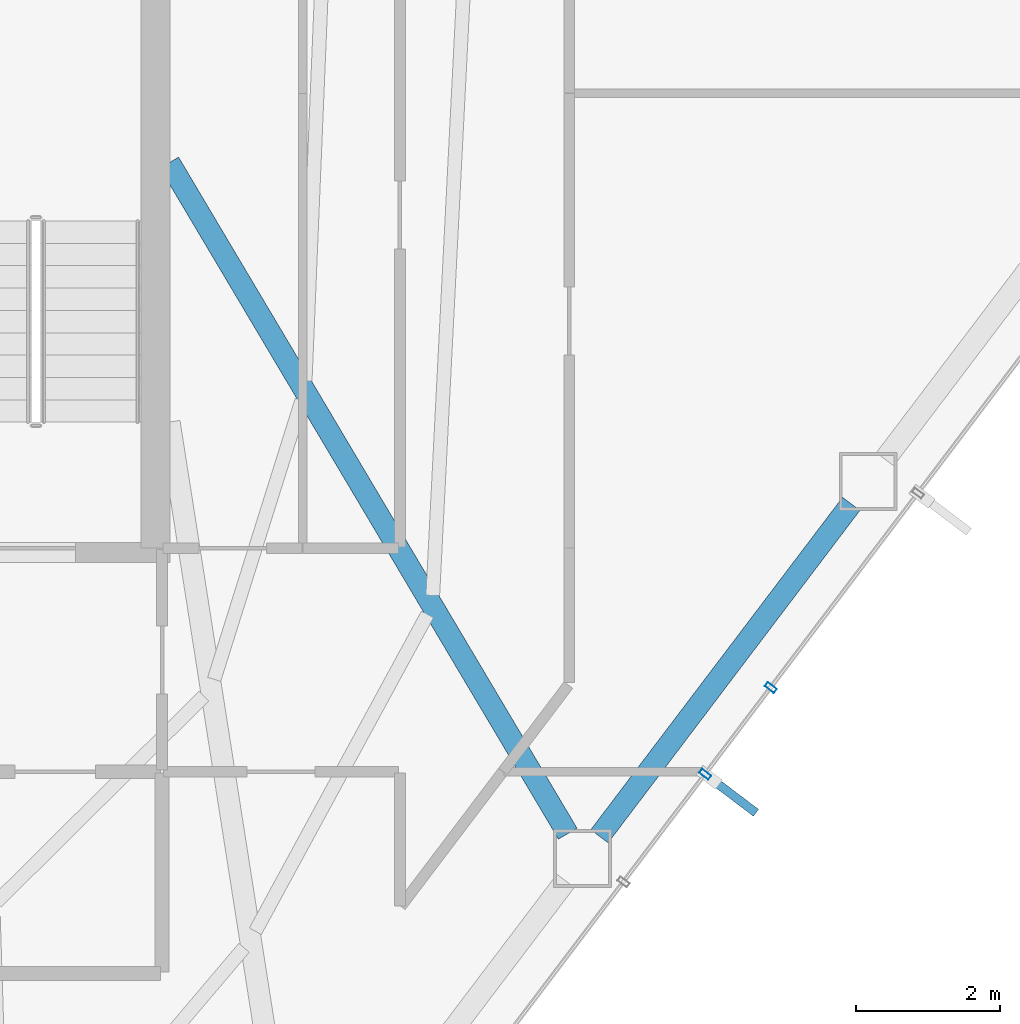
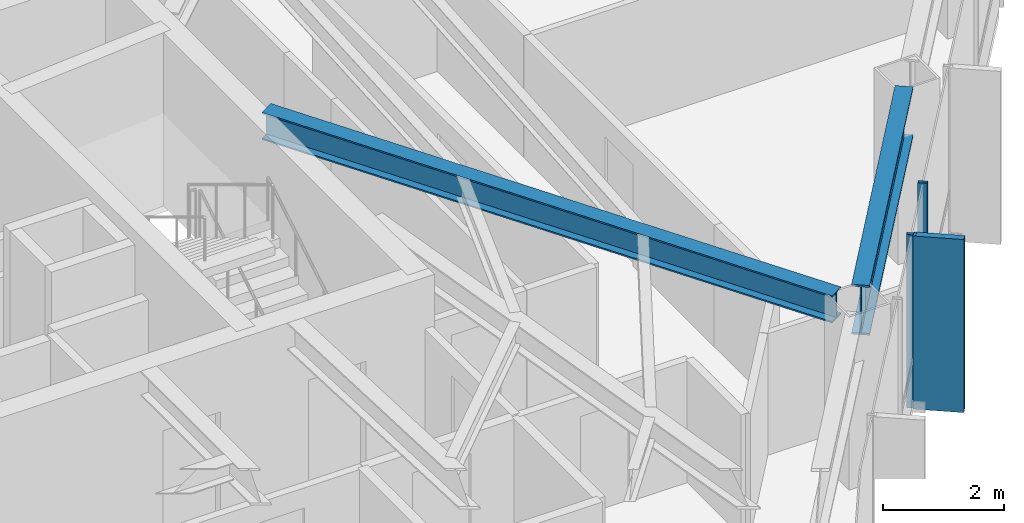
# One storey, part 19 of 28: 3 members, 2 beams, 1 element without a shape of its own.
"""IFC4 building model written with IfcOpenShell, lengths in metres."""

from ifc_helpers import new_model, si_unit, direction, frame, origin, origin_2d, place, context, subcontext, project, spatial, rectangle, hollow_rectangle, i_section, extrude, material, layer, layer_set, material_profile, profile_set, type_object, element, aggregate, save


model = new_model("IFC4")

# Units and contexts
model_context = context("Model", 3, precision=1e-05, world=origin(), true_north=direction((0.0, 1.0)))
body_context = subcontext(model_context, "Body", "Model", "MODEL_VIEW")
ifc_project = project(units=[si_unit("LENGTHUNIT", "METRE"), si_unit("AREAUNIT", "SQUARE_METRE"), si_unit("VOLUMEUNIT", "CUBIC_METRE"), si_unit("PLANEANGLEUNIT", "RADIAN"), si_unit("MASSUNIT", "GRAM", prefix="KILO")], contexts=[model_context])

# Site, building, storey
site_placement = place(None, origin())
site = spatial("IfcSite", under=ifc_project, at=site_placement, CompositionType="ELEMENT")
building_placement = place(site_placement, origin())
building = spatial("IfcBuilding", under=site, at=building_placement, Name="Zarrinselat Tower", CompositionType="ELEMENT")
storey_placement = place(building_placement, frame((0.0, 0.0, 145.860107421875)))
storey = spatial("IfcBuildingStorey", under=building, at=storey_placement, Name="L35", CompositionType="ELEMENT", Elevation=145.860107421875)

# Beams
ifc_material_1 = material(Name="Steel S355J2", Category="steel")
ifc_material_profile_1 = material_profile(ifc_material_1, i_section(OverallWidth=0.300048828125, OverallDepth=0.550048828125, WebThickness=0.014892578125, FlangeThickness=0.029052734375, at=origin_2d()), Name="HEB 550")
ifc_profile_set_1 = profile_set([ifc_material_profile_1], Name="Steel S355J2")
beam_type_1 = type_object("IfcBeamType", Name="BM-HEB550", PredefinedType="BEAM", material=ifc_profile_set_1)
beam_1_placement = place(storey_placement, frame((48.449951171875, 38.60009765625, 3.224853515625), z_axis=(0.510577824319, -0.85983154473, 0.0), x_axis=(0.85983154473, 0.510577824319, 0.0)))
element("IfcBeam", 1, at=beam_1_placement, inside=storey, type_object=beam_type_1, Name="L35 Radial Primary Girder RG13", PredefinedType="BEAM", context=body_context, shape_type="SweptSolid", body=[
    extrude(i_section(OverallWidth=0.300048828125, OverallDepth=0.550048828125, WebThickness=0.014892578125, FlangeThickness=0.029052734375, at=origin_2d()), origin(), (0.0, 0.0, 1.0), 10.828125),
])
ifc_material_2 = material(Name="Steel S460M", Category="steel")
ifc_material_profile_2 = material_profile(ifc_material_2, i_section(OverallWidth=0.302001953125, OverallDepth=1.008056640625, WebThickness=0.02099609375, FlangeThickness=0.0400390625, at=origin_2d()), Name="HEM 1000")
ifc_profile_set_2 = profile_set([ifc_material_profile_2], Name="Steel S460M")
beam_type_2 = type_object("IfcBeamType", Name="BM-HEM1000", PredefinedType="BEAM", material=ifc_profile_set_2)
beam_2_placement = place(storey_placement, frame((54.418212890625, 29.25341796875, 2.995849609375), z_axis=(0.603840630408, 0.797105070281, 0.0), x_axis=(-0.797105070281, 0.603840630408, 0.0)))
element("IfcBeam", 2, at=beam_2_placement, inside=storey, type_object=beam_type_2, Name="L35 Perimeter Spandrel Girder SP13", PredefinedType="BEAM", context=body_context, shape_type="SweptSolid", body=[
    extrude(i_section(OverallWidth=0.302001953125, OverallDepth=1.008056640625, WebThickness=0.02099609375, FlangeThickness=0.0400390625, at=origin_2d()), origin(), (0.0, 0.0, 1.0), 5.786865234375),
])

# Curtain wall, members
ifc_material_3 = material(Name="Extruded Aluminium Alloy EN AW-6063 T6", Category="aluminium")
ifc_layer = layer(ifc_material_3, 0.175048828125)
ifc_layer_set = layer_set([ifc_layer], Name="Extruded Aluminium Alloy EN AW-6063 T6")
curtain_wall_type = type_object("IfcCurtainWallType", Name="CWS-HTL", PredefinedType="NOTDEFINED", material=ifc_layer_set)
curtain_wall_placement = place(storey_placement, origin())
curtain_wall = element("IfcCurtainWall", 3, at=curtain_wall_placement, inside=storey, type_object=curtain_wall_type, Name="L35 Unitised Curtain Wall CW-L35-E05", PredefinedType="NOTDEFINED")
ifc_material_4 = material(Name="Extruded Aluminium Alloy EN AW-6063 T6", Category="aluminium")
ifc_material_profile_3 = material_profile(ifc_material_4, hollow_rectangle(XDim=0.070068359375, YDim=0.159912109375, WallThickness=0.00390625, at=origin_2d()), Name="RHS 160x70x4")
ifc_profile_set_3 = profile_set([ifc_material_profile_3], Name="Extruded Aluminium Alloy EN AW-6063 T6")
member_type_1 = type_object("IfcMemberType", Name="MEM-CW-MUL2", PredefinedType="MULLION", material=ifc_profile_set_3)
member_1_placement = place(storey_placement, frame((55.88525390625, 30.11376953125, 0.0), z_axis=(0.0, 0.0, 1.0), x_axis=(0.603857687995, 0.797092148154, 0.0)))
member_1 = element("IfcMember", 4, at=member_1_placement, type_object=member_type_1, Name="CW-L35-E05 Mullion 5", PredefinedType="MULLION", context=body_context, shape_type="SweptSolid", body=[
    extrude(hollow_rectangle(XDim=0.070068359375, YDim=0.159912109375, WallThickness=0.00390625, at=origin_2d()), origin(), (0.0, 0.0, 1.0), 3.5),
])
member_2_placement = place(storey_placement, frame((56.796142578125, 31.316162109375, 0.0), z_axis=(0.0, 0.0, 1.0), x_axis=(0.603857687995, 0.797092148154, 0.0)))
member_2 = element("IfcMember", 5, at=member_2_placement, type_object=member_type_1, Name="CW-L35-E05 Mullion 6", PredefinedType="MULLION", context=body_context, shape_type="SweptSolid", body=[
    extrude(hollow_rectangle(XDim=0.070068359375, YDim=0.159912109375, WallThickness=0.00390625, at=origin_2d()), origin(), (0.0, 0.0, 1.0), 3.5),
])
ifc_material_5 = material(Name="Honed Cream Travertine Stone", Category="masonry")
ifc_material_profile_4 = material_profile(ifc_material_5, rectangle(XDim=0.1201171875, YDim=0.85009765625, at=origin_2d()), Name="FIN 850x120")
ifc_profile_set_4 = profile_set([ifc_material_profile_4], Name="Honed Cream Travertine Stone")
member_type_2 = type_object("IfcMemberType", Name="MEM-STONE-FIN", PredefinedType="USERDEFINED", material=ifc_profile_set_4)
member_3_placement = place(storey_placement, frame((56.251953125, 29.8359375, 0.0), z_axis=(0.0, 0.0, 1.0), x_axis=(-0.603857687995, -0.797092148154, 0.0)))
member_3 = element("IfcMember", 6, at=member_3_placement, type_object=member_type_2, Name="L35 Stone Shading Fin CW-L35-E05-05", ObjectType="FIN", PredefinedType="USERDEFINED", context=body_context, shape_type="SweptSolid", body=[
    extrude(rectangle(XDim=0.1201171875, YDim=0.85009765625, at=origin_2d()), origin(), (0.0, 0.0, 1.0), 3.5),
])
aggregate(curtain_wall, [member_1, member_3, member_2])

save(model, "model.ifc")
